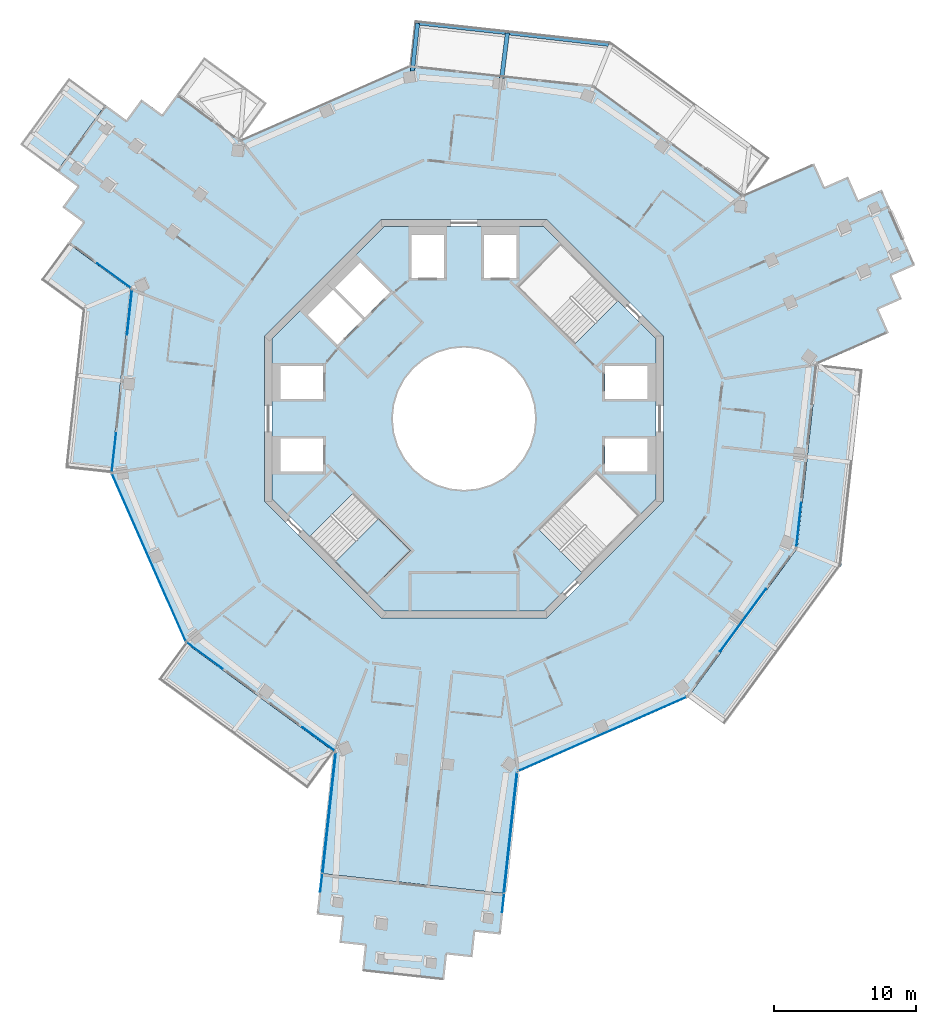
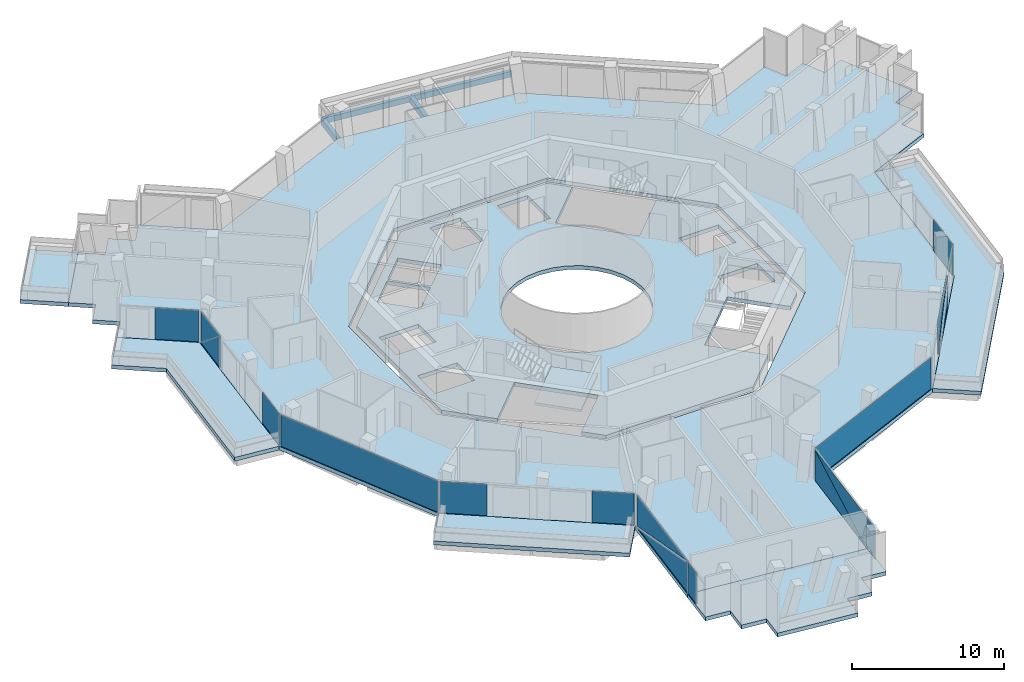
# One storey, part 11 of 22: 17 plates, 8 slabs, 4 beams, 10 elements without a shape of their own.
"""IFC4 building model written with IfcOpenShell, lengths in metres."""

import ifcopenshell
import ifcopenshell.guid

model = None  # the IFC model being written
_history = None  # IfcOwnerHistory: only IFC2X3 demands one
_inside = {}  # id of a spatial element -> (the spatial element, [elements in it])
_under = {}  # id of a project, library or spatial element -> (it, [spatial elements below it])
_declared = {}  # id of a project -> (the project, [libraries it declares])
_typed = {}  # id of a type object -> (the type object, [elements of that type])
_made_of = {}  # id of a material, layer set ... -> (it, [elements and type objects made of it])


def new_model(schema):
    """Start an empty IFC model of exactly this schema.

    Asked for "IFC4X3", IfcOpenShell would pick the latest addendum, in which some entities
    have other attributes; the version numbers below select the first issue.
    IFC2X3 requires an IfcOwnerHistory on every rooted entity: one is made here for all.
    """
    global model, _history
    if schema == "IFC4X3":
        model = ifcopenshell.file(schema_version=(4, 3, 0, 0))
    else:
        model = ifcopenshell.file(schema=schema)
    _inside.clear()
    _under.clear()
    _declared.clear()
    _typed.clear()
    _made_of.clear()
    _history = None
    if model.schema == "IFC2X3":
        org = make("IfcOrganization", Name="unknown")
        user = make(
            "IfcPersonAndOrganization",
            ThePerson=make("IfcPerson", FamilyName="unknown"),
            TheOrganization=org,
        )
        app = make(
            "IfcApplication",
            ApplicationDeveloper=org,
            Version="unknown",
            ApplicationFullName="unknown",
            ApplicationIdentifier="unknown",
        )
        _history = make(
            "IfcOwnerHistory",
            OwningUser=user,
            OwningApplication=app,
            ChangeAction="ADDED",
            CreationDate=0,
        )
    return model


def make(cls, **values):
    """One entity of the class cls with the attributes given. An attribute that is None is left unset."""
    return model.create_entity(
        cls, **{name: value for name, value in values.items() if value is not None}
    )


def rooted(cls, **values):
    """An entity with a GlobalId (a new one), such as an element, a storey or a relation."""
    return make(cls, GlobalId=ifcopenshell.guid.new(), OwnerHistory=_history, **values)


def si_unit(unit_type, name, prefix=None):
    """IfcSIUnit, for example si_unit("LENGTHUNIT", "METRE", prefix="MILLI")."""
    return make("IfcSIUnit", UnitType=unit_type, Prefix=prefix, Name=name)


def assignment(units):
    """IfcUnitAssignment: the units of a project."""
    return None if units is None else make("IfcUnitAssignment", Units=units)


def point(xyz):
    """IfcCartesianPoint."""
    return None if xyz is None else make("IfcCartesianPoint", Coordinates=xyz)


def direction(xyz):
    """IfcDirection."""
    return None if xyz is None else make("IfcDirection", DirectionRatios=xyz)


def frame(location, z_axis=None, x_axis=None):
    """IfcAxis2Placement3D, a coordinate frame: its origin and axes. An axis left out is left unset."""
    return make(
        "IfcAxis2Placement3D",
        Location=point(location),
        Axis=direction(z_axis),
        RefDirection=direction(x_axis),
    )


def frame_2d(location, x_axis=None):
    """IfcAxis2Placement2D, a coordinate frame in the plane: its origin and x axis."""
    return make(
        "IfcAxis2Placement2D", Location=point(location), RefDirection=direction(x_axis)
    )


def origin():
    """The frame at (0, 0, 0) with its axes left unset."""
    return frame((0.0, 0.0, 0.0))


def origin_2d():
    """The frame at (0, 0) in the plane with its x axis left unset."""
    return frame_2d((0.0, 0.0))


def place(relative_to, where):
    """IfcLocalPlacement: puts the frame where relative to a parent placement (None: the world)."""
    return make(
        "IfcLocalPlacement", PlacementRelTo=relative_to, RelativePlacement=where
    )


def context(
    kind, dimensions, precision=None, world=None, true_north=None, identifier=None
):
    """IfcGeometricRepresentationContext, for example the 3D "Model" context."""
    return make(
        "IfcGeometricRepresentationContext",
        ContextIdentifier=identifier,
        ContextType=kind,
        CoordinateSpaceDimension=dimensions,
        Precision=precision,
        WorldCoordinateSystem=world,
        TrueNorth=true_north,
    )


def subcontext(parent, identifier, kind, view, scale=None):
    """IfcGeometricRepresentationSubContext, for example "Body" below "Model"."""
    return make(
        "IfcGeometricRepresentationSubContext",
        ContextIdentifier=identifier,
        ContextType=kind,
        ParentContext=parent,
        TargetScale=scale,
        TargetView=view,
    )


def project(units=None, contexts=None):
    """IfcProject with its units and contexts."""
    return rooted(
        "IfcProject",
        Name="project",
        RepresentationContexts=contexts,
        UnitsInContext=assignment(units),
    )


def spatial(cls, under=None, at=None, **own):
    """A site, building, storey or space (cls), placed at a placement, below another one or the project."""
    s = rooted(cls, ObjectPlacement=at, **own)
    if under is not None:
        _under.setdefault(under.id(), (under, []))[1].append(s)
    return s


def polyline(points):
    """IfcPolyline through the points."""
    return make("IfcPolyline", Points=[point(p) for p in points])


def profile(cls, at=None, kind="AREA", **sizes):
    """A parametric profile (cls). Its sizes go by their IFC names, for example OverallWidth=200.0."""
    return make(cls, ProfileType=kind, Position=at, **sizes)


def rectangle(**sizes):
    """IfcRectangleProfileDef."""
    return profile("IfcRectangleProfileDef", **sizes)


def outline(outer, holes=None, kind="AREA"):
    """IfcArbitraryClosedProfileDef: a profile drawn as a closed curve; with holes, ...WithVoids."""
    if holes is None:
        return make("IfcArbitraryClosedProfileDef", ProfileType=kind, OuterCurve=outer)
    return make(
        "IfcArbitraryProfileDefWithVoids",
        ProfileType=kind,
        OuterCurve=outer,
        InnerCurves=holes,
    )


def extrude(swept, where, along, depth):
    """IfcExtrudedAreaSolid: the profile swept, set in the frame where, extruded along a direction by depth."""
    return make(
        "IfcExtrudedAreaSolid",
        SweptArea=swept,
        Position=where,
        ExtrudedDirection=direction(along),
        Depth=depth,
    )


def shape(context_of_items, identifier, shape_type, items):
    """IfcShapeRepresentation: the items that make up one representation, for example the "Body"."""
    return make(
        "IfcShapeRepresentation",
        ContextOfItems=context_of_items,
        RepresentationIdentifier=identifier,
        RepresentationType=shape_type,
        Items=items,
    )


def material(Name=None, Category=None):
    """IfcMaterial."""
    return make("IfcMaterial", Name=Name, Category=Category)


def layer(
    of_material, thickness, ventilated=None, Name=None, Category=None, Priority=None
):
    """IfcMaterialLayer: one layer of a wall or slab, of a material (None: an air gap)."""
    return make(
        "IfcMaterialLayer",
        Material=of_material,
        LayerThickness=thickness,
        IsVentilated=ventilated,
        Name=Name,
        Category=Category,
        Priority=Priority,
    )


def layer_set(layers, Name=None):
    """IfcMaterialLayerSet."""
    return make("IfcMaterialLayerSet", MaterialLayers=layers, LayerSetName=Name)


def material_profile(
    of_material, cross_section, Name=None, Category=None, Priority=None
):
    """IfcMaterialProfile: a cross section and its material."""
    return make(
        "IfcMaterialProfile",
        Name=Name,
        Material=of_material,
        Profile=cross_section,
        Priority=Priority,
        Category=Category,
    )


def profile_set(profiles, Name=None, composite=None):
    """IfcMaterialProfileSet."""
    return make(
        "IfcMaterialProfileSet",
        Name=Name,
        MaterialProfiles=profiles,
        CompositeProfile=composite,
    )


def made_of(thing, what):
    """Note that an element or type object is made of a material, layer set ...; save() writes the relation."""
    if what is not None:
        _made_of.setdefault(what.id(), (what, []))[1].append(thing)
    return thing


def type_object(cls, material=None, **own):
    """A type object (cls), such as IfcWallType, which elements share."""
    return made_of(rooted(cls, **own), material)


def element(
    cls,
    number,
    at=None,
    inside=None,
    cuts=None,
    type_object=None,
    material=None,
    context=None,
    identifier="Body",
    shape_type=None,
    held_by="IfcProductDefinitionShape",
    body=None,
    shapes=None,
    **own,
):
    """One element of the class cls, such as IfcWall. Its Tag is "e" and its number.

    at: its placement. inside: the storey or other place that contains it. cuts: it is an
    opening in that element (IfcRelVoidsElement). A single representation is given by context,
    identifier, shape_type and body (its items); several are given by shapes. held_by: the class
    of the entity that holds the representations. save() writes the other relations.
    """
    e = rooted(cls, Tag="e%d" % number, ObjectPlacement=at, **own)
    if body is not None:
        shapes = [shape(context, identifier, shape_type, body)]
    if shapes is not None:
        e.Representation = make(held_by, Representations=shapes)
    if inside is not None:
        _inside.setdefault(inside.id(), (inside, []))[1].append(e)
    if cuts is not None:
        rooted(
            "IfcRelVoidsElement", RelatingBuildingElement=cuts, RelatedOpeningElement=e
        )
    if type_object is not None:
        _typed.setdefault(type_object.id(), (type_object, []))[1].append(e)
    return made_of(e, material)


def aggregate(whole, parts):
    """IfcRelAggregates: a whole, such as a stair, and the parts it consists of."""
    return rooted("IfcRelAggregates", RelatingObject=whole, RelatedObjects=parts)


def save(model, path):
    """Write the relations noted so far, then the file.

    IfcRelAggregates (storeys below a building ...), IfcRelContainedInSpatialStructure (elements
    in a storey), IfcRelDefinesByType, IfcRelAssociatesMaterial and IfcRelDeclares: one each for
    every whole, place, type object, material and project.
    """
    for whole, parts in _under.values():
        aggregate(whole, parts)
    for where, things in _inside.values():
        rooted(
            "IfcRelContainedInSpatialStructure",
            RelatedElements=things,
            RelatingStructure=where,
        )
    for kind, things in _typed.values():
        rooted("IfcRelDefinesByType", RelatedObjects=things, RelatingType=kind)
    for what, things in _made_of.values():
        rooted("IfcRelAssociatesMaterial", RelatedObjects=things, RelatingMaterial=what)
    for by, libraries in _declared.values():
        rooted("IfcRelDeclares", RelatingContext=by, RelatedDefinitions=libraries)
    model.write(path)


model = new_model("IFC4")

# Units and contexts
model_context = context("Model", 3, precision=1e-05, world=origin(), true_north=direction((0.0, 1.0)))
body_context = subcontext(model_context, "Body", "Model", "MODEL_VIEW")
ifc_project = project(units=[si_unit("LENGTHUNIT", "METRE"), si_unit("AREAUNIT", "SQUARE_METRE"), si_unit("VOLUMEUNIT", "CUBIC_METRE"), si_unit("PLANEANGLEUNIT", "RADIAN"), si_unit("MASSUNIT", "GRAM", prefix="KILO")], contexts=[model_context])

# Site, building, storey
site_placement = place(None, origin())
site = spatial("IfcSite", under=ifc_project, at=site_placement, CompositionType="ELEMENT")
building_placement = place(site_placement, origin())
building = spatial("IfcBuilding", under=site, at=building_placement, Name="Verdalira Terraces Hotel", CompositionType="ELEMENT")
storey_placement = place(building_placement, frame((0.0, 0.0, 252.5)))
storey = spatial("IfcBuildingStorey", under=building, at=storey_placement, Name="L62", CompositionType="ELEMENT", Elevation=252.5)

# Beams
ifc_material_1 = material(Name="Concrete C40", Category="concrete")
ifc_material_profile_1 = material_profile(ifc_material_1, rectangle(XDim=0.300049, YDim=0.5, at=origin_2d()), Name="RC 300X500")
ifc_profile_set_1 = profile_set([ifc_material_profile_1], Name="Concrete C40")
beam_type_1 = type_object("IfcBeamType", Name="Balcony cantilever beam RC 300X500 C40", PredefinedType="BEAM", material=ifc_profile_set_1)
beam_1_placement = place(storey_placement, frame((2.648682, 23.911865, -0.560059), z_axis=(0.125320754, 0.992116278, 0.0), x_axis=(-0.992116278, 0.125320754, 0.0)))
element("IfcBeam", 1, at=beam_1_placement, inside=storey, type_object=beam_type_1, Name="Balcony cantilever beam R39-4", PredefinedType="BEAM", context=body_context, shape_type="SweptSolid", body=[
    extrude(rectangle(XDim=0.300049, YDim=0.5, at=origin_2d()), origin(), (0.0, 0.0, 1.0), 3.200684),
])
beam_2_placement = place(storey_placement, frame((-3.626221, 24.416504, -0.560059), z_axis=(0.108758928, 0.994068154, 0.0), x_axis=(-0.994068154, 0.108758928, 0.0)))
element("IfcBeam", 2, at=beam_2_placement, inside=storey, type_object=beam_type_1, Name="Balcony cantilever beam R39-5", PredefinedType="BEAM", context=body_context, shape_type="SweptSolid", body=[
    extrude(rectangle(XDim=0.300049, YDim=0.5, at=origin_2d()), origin(), (0.0, 0.0, 1.0), 3.380615),
])
ifc_material_2 = material(Name="Concrete C40", Category="concrete")
ifc_material_profile_2 = material_profile(ifc_material_2, rectangle(XDim=0.25, YDim=0.449951, at=origin_2d()), Name="RC 250X450")
ifc_profile_set_2 = profile_set([ifc_material_profile_2], Name="Concrete C40")
beam_type_2 = type_object("IfcBeamType", Name="Balcony edge beam RC 250X450 C40", PredefinedType="BEAM", material=ifc_profile_set_2)
beam_3_placement = place(storey_placement, frame((10.14917, 26.269287, -0.534912), z_axis=(-0.993425533, 0.114480173, 0.0), x_axis=(-0.114480173, -0.993425533, 0.0)))
element("IfcBeam", 3, at=beam_3_placement, inside=storey, type_object=beam_type_2, Name="Balcony edge beam R39-3", PredefinedType="BEAM", context=body_context, shape_type="SweptSolid", body=[
    extrude(rectangle(XDim=0.25, YDim=0.449951, at=origin_2d()), origin(), (0.0, 0.0, 1.0), 7.14624),
])
beam_4_placement = place(storey_placement, frame((2.900879, 27.103516, -0.534912), z_axis=(-0.994073488, 0.108710165, 0.0), x_axis=(-0.108710165, -0.994073488, 0.0)))
element("IfcBeam", 4, at=beam_4_placement, inside=storey, type_object=beam_type_2, Name="Balcony edge beam R39-4", PredefinedType="BEAM", context=body_context, shape_type="SweptSolid", body=[
    extrude(rectangle(XDim=0.25, YDim=0.449951, at=origin_2d()), origin(), (0.0, 0.0, 1.0), 6.196045),
])

# Slabs
ifc_material_3 = material(Name="Precast concrete C40/50", Category="concrete")
ifc_layer_1 = layer(ifc_material_3, 0.31005859375)
ifc_layer_set_1 = layer_set([ifc_layer_1], Name="Balcony deck 310")
slab_type_1 = type_object("IfcSlabType", Name="Balcony deck 310", PredefinedType="FLOOR", material=ifc_layer_set_1)
slab_1_placement = place(storey_placement, frame((0.0, 0.0, -0.310059)))
element("IfcSlab", 5, at=slab_1_placement, inside=storey, type_object=slab_type_1, Name="Balcony deck", PredefinedType="FLOOR", context=body_context, shape_type="SweptSolid", body=[
    extrude(outline(polyline([(-31.181641, 19.259521), (-28.60083, 17.367676), (-25.171875, 22.045654), (-27.75293, 23.9375), (-31.181641, 19.259521)])), origin(), (0.0, 0.0, 1.0), 0.310059),
])
slab_2_placement = place(storey_placement, frame((0.0, 0.0, -0.310059)))
element("IfcSlab", 6, at=slab_2_placement, inside=storey, type_object=slab_type_1, Name="Balcony deck", PredefinedType="FLOOR", context=body_context, shape_type="SweptSolid", body=[
    extrude(outline(polyline([(-26.790039, 7.609375), (-28.002197, -3.477051), (-24.821045, -3.824707), (-23.408203, 9.098145), (-27.825439, 12.335938), (-29.717041, 9.754883), (-26.790039, 7.609375)])), origin(), (0.0, 0.0, 1.0), 0.310059),
])
slab_3_placement = place(storey_placement, frame((0.0, 0.0, -0.310059)))
element("IfcSlab", 7, at=slab_3_placement, inside=storey, type_object=slab_type_1, Name="Balcony deck", PredefinedType="FLOOR", context=body_context, shape_type="SweptSolid", body=[
    extrude(outline(polyline([(-10.98999, -25.989014), (-9.098145, -23.408203), (-19.583252, -15.7229), (-21.475098, -18.303955), (-10.98999, -25.989014)])), origin(), (0.0, 0.0, 1.0), 0.310059),
])
slab_4_placement = place(storey_placement, frame((0.0, 0.0, -0.310059)))
element("IfcSlab", 8, at=slab_4_placement, inside=storey, type_object=slab_type_1, Name="Balcony deck", PredefinedType="FLOOR", context=body_context, shape_type="SweptSolid", body=[
    extrude(outline(polyline([(28.002197, 3.477051), (24.821045, 3.824707), (23.408203, -9.098145), (15.7229, -19.583252), (18.303955, -21.475098), (26.49585, -10.29834), (28.002197, 3.477051)])), origin(), (0.0, 0.0, 1.0), 0.310059),
])

# Curtain wall, plates
ifc_material_4 = material(Name="Clear glass", Category="glass")
ifc_layer_2 = layer(ifc_material_4, 0.14990234375)
ifc_layer_set_2 = layer_set([ifc_layer_2], Name="CW1 curtain wall")
curtain_wall_type_1 = type_object("IfcCurtainWallType", Name="CW1 curtain wall", PredefinedType="NOTDEFINED", material=ifc_layer_set_2)
curtain_wall_1_placement = place(storey_placement, origin())
curtain_wall_1 = element("IfcCurtainWall", 9, at=curtain_wall_1_placement, inside=storey, type_object=curtain_wall_type_1, Name="CW1 curtain wall L62 edge 11", PredefinedType="NOTDEFINED")
ifc_material_5 = material(Name="Clear glass", Category="glass")
ifc_layer_3 = layer(ifc_material_5, 0.028076171875)
ifc_layer_set_3 = layer_set([ifc_layer_3], Name="CW1 glass unit 28")
plate_type_1 = type_object("IfcPlateType", Name="CW1 glass unit 28", PredefinedType="CURTAIN_PANEL", material=ifc_layer_set_3)
plate_1_placement = place(storey_placement, frame((-23.496826, 7.468262, 1.262451), z_axis=(-0.994075324, 0.108693378, 0.0), x_axis=(-0.108693378, -0.994075324, 0.0)))
plate_1 = element("IfcPlate", 10, at=plate_1_placement, type_object=plate_type_1, Name="CW1 glass unit", PredefinedType="CURTAIN_PANEL", context=body_context, shape_type="SweptSolid", body=[
    extrude(outline(polyline([(-1.569824, -1.262451), (1.569824, -1.262451), (1.569824, 1.262451), (-1.569824, -1.262451)])), origin(), (0.0, 0.0, 1.0), 0.028076),
])
plate_2_placement = place(storey_placement, frame((-23.468018, 7.465088, 1.262451), z_axis=(-0.994075324, 0.108693378, 0.0), x_axis=(-0.108693378, -0.994075324, 0.0)))
plate_2 = element("IfcPlate", 11, at=plate_2_placement, type_object=plate_type_1, Name="CW1 glass unit", PredefinedType="CURTAIN_PANEL", context=body_context, shape_type="SweptSolid", body=[
    extrude(outline(polyline([(-1.569824, -1.262451), (1.569824, 1.262451), (-1.569824, 1.262451), (-1.569824, -1.262451)])), origin(), (0.0, 0.0, 1.0), 0.028076),
])
plate_3_placement = place(storey_placement, frame((-24.586914, -2.37207, 0.0), z_axis=(0.0, 0.0, 1.0), x_axis=(-0.108693378, -0.994075324, 0.0)))
plate_3 = element("IfcPlate", 12, at=plate_3_placement, type_object=plate_type_1, Name="CW1 glass unit", PredefinedType="CURTAIN_PANEL", context=body_context, shape_type="SweptSolid", body=[
    extrude(rectangle(XDim=2.738525, YDim=0.028076, at=origin_2d()), origin(), (0.0, 0.0, 1.0), 2.524902),
])
aggregate(curtain_wall_1, [plate_1, plate_2, plate_3])

# Curtain wall, plate
curtain_wall_2_placement = place(storey_placement, origin())
curtain_wall_2 = element("IfcCurtainWall", 13, at=curtain_wall_2_placement, inside=storey, type_object=curtain_wall_type_1, Name="CW1 curtain wall L62 edge 12", PredefinedType="NOTDEFINED")
plate_4_placement = place(storey_placement, frame((-22.133545, -9.743652, 0.0), z_axis=(0.0, 0.0, 1.0), x_axis=(0.402906436, -0.915241173, 0.0)))
plate_4 = element("IfcPlate", 14, at=plate_4_placement, type_object=plate_type_1, Name="CW1 glass unit", PredefinedType="CURTAIN_PANEL", context=body_context, shape_type="SweptSolid", body=[
    extrude(rectangle(XDim=12.799561, YDim=0.028076, at=origin_2d()), origin(), (0.0, 0.0, 1.0), 2.524902),
])
aggregate(curtain_wall_2, [plate_4])

# Curtain wall, plates
curtain_wall_3_placement = place(storey_placement, origin())
curtain_wall_3 = element("IfcCurtainWall", 15, at=curtain_wall_3_placement, inside=storey, type_object=curtain_wall_type_1, Name="CW1 curtain wall L62 edge 13", PredefinedType="NOTDEFINED")
plate_5_placement = place(storey_placement, frame((-18.208008, -16.637939, 0.0), z_axis=(0.0, 0.0, 1.0), x_axis=(0.806547795, -0.591168888, 0.0)))
plate_5 = element("IfcPlate", 16, at=plate_5_placement, type_object=plate_type_1, Name="CW1 glass unit", PredefinedType="CURTAIN_PANEL", context=body_context, shape_type="SweptSolid", body=[
    extrude(rectangle(XDim=3.099854, YDim=0.028076, at=origin_2d()), origin(), (0.0, 0.0, 1.0), 2.524902),
])
plate_6_placement = place(storey_placement, frame((-10.2229, -22.490723, 0.0), z_axis=(0.0, 0.0, 1.0), x_axis=(0.806547795, -0.591168888, 0.0)))
plate_6 = element("IfcPlate", 17, at=plate_6_placement, type_object=plate_type_1, Name="CW1 glass unit", PredefinedType="CURTAIN_PANEL", context=body_context, shape_type="SweptSolid", body=[
    extrude(rectangle(XDim=2.778809, YDim=0.028076, at=origin_2d()), origin(), (0.0, 0.0, 1.0), 2.524902),
])
aggregate(curtain_wall_3, [plate_5, plate_6])

# Curtain wall, plate
curtain_wall_4_placement = place(storey_placement, origin())
curtain_wall_4 = element("IfcCurtainWall", 18, at=curtain_wall_4_placement, inside=storey, type_object=curtain_wall_type_1, Name="CW1 curtain wall L62 edge 25", PredefinedType="NOTDEFINED")
plate_7_placement = place(storey_placement, frame((9.725342, -22.141602, 0.0), z_axis=(0.0, 0.0, 1.0), x_axis=(0.915241173, 0.402906436, 0.0)))
plate_7 = element("IfcPlate", 19, at=plate_7_placement, type_object=plate_type_1, Name="CW1 glass unit", PredefinedType="CURTAIN_PANEL", context=body_context, shape_type="SweptSolid", body=[
    extrude(rectangle(XDim=12.839844, YDim=0.028076, at=origin_2d()), origin(), (0.0, 0.0, 1.0), 2.524902),
])
aggregate(curtain_wall_4, [plate_7])

# Curtain wall, plates
curtain_wall_5_placement = place(storey_placement, origin())
curtain_wall_5 = element("IfcCurtainWall", 20, at=curtain_wall_5_placement, inside=storey, type_object=curtain_wall_type_1, Name="CW1 curtain wall L62 edge 26", PredefinedType="NOTDEFINED")
plate_8_placement = place(storey_placement, frame((19.599854, -14.143311, 1.262451), z_axis=(0.806547795, -0.591168888, 0.0), x_axis=(0.591168888, 0.806547795, 0.0)))
plate_8 = element("IfcPlate", 21, at=plate_8_placement, type_object=plate_type_1, Name="CW1 glass unit", PredefinedType="CURTAIN_PANEL", context=body_context, shape_type="SweptSolid", body=[
    extrude(outline(polyline([(-2.716309, -1.262451), (2.716309, -1.262451), (2.716309, 1.262451), (-2.716309, -1.262451)])), origin(), (0.0, 0.0, 1.0), 0.028076),
])
plate_9_placement = place(storey_placement, frame((19.576416, -14.126221, 1.262451), z_axis=(0.806547795, -0.591168888, 0.0), x_axis=(0.591168888, 0.806547795, 0.0)))
plate_9 = element("IfcPlate", 22, at=plate_9_placement, type_object=plate_type_1, Name="CW1 glass unit", PredefinedType="CURTAIN_PANEL", context=body_context, shape_type="SweptSolid", body=[
    extrude(outline(polyline([(-2.716309, -1.262451), (2.716309, 1.262451), (-2.716309, 1.262451), (-2.716309, -1.262451)])), origin(), (0.0, 0.0, 1.0), 0.028076),
])
aggregate(curtain_wall_5, [plate_8, plate_9])

# Curtain wall, plate
curtain_wall_6_placement = place(storey_placement, origin())
curtain_wall_6 = element("IfcCurtainWall", 23, at=curtain_wall_6_placement, inside=storey, type_object=curtain_wall_type_1, Name="CW1 curtain wall L62 edge 27", PredefinedType="NOTDEFINED")
plate_10_placement = place(storey_placement, frame((23.512939, -7.449707, 0.0), z_axis=(0.0, 0.0, 1.0), x_axis=(0.108693378, 0.994075324, 0.0)))
plate_10 = element("IfcPlate", 24, at=plate_10_placement, type_object=plate_type_1, Name="CW1 glass unit", PredefinedType="CURTAIN_PANEL", context=body_context, shape_type="SweptSolid", body=[
    extrude(rectangle(XDim=3.099854, YDim=0.028076, at=origin_2d()), origin(), (0.0, 0.0, 1.0), 2.524902),
])
aggregate(curtain_wall_6, [plate_10])

ifc_material_6 = material(Name="Clear glass", Category="glass")
ifc_layer_4 = layer(ifc_material_6, 0.14990234375)
ifc_layer_set_4 = layer_set([ifc_layer_4], Name="CW2 curtain wall")
curtain_wall_type_2 = type_object("IfcCurtainWallType", Name="CW2 curtain wall", PredefinedType="NOTDEFINED", material=ifc_layer_set_4)
curtain_wall_7_placement = place(storey_placement, origin())
curtain_wall_7 = element("IfcCurtainWall", 25, at=curtain_wall_7_placement, inside=storey, type_object=curtain_wall_type_2, Name="CW2 curtain wall L62 edge 10", PredefinedType="NOTDEFINED")
ifc_material_7 = material(Name="Clear glass", Category="glass")
ifc_layer_5 = layer(ifc_material_7, 0.031982421875)
ifc_layer_set_5 = layer_set([ifc_layer_5], Name="CW2 glass unit 32")
plate_type_2 = type_object("IfcPlateType", Name="CW2 glass unit 32", PredefinedType="CURTAIN_PANEL", material=ifc_layer_set_5)
plate_11_placement = place(storey_placement, frame((-24.584473, 10.053467, 0.0), z_axis=(0.0, 0.0, 1.0), x_axis=(0.806547795, -0.591168888, 0.0)))
plate_11 = element("IfcPlate", 26, at=plate_11_placement, type_object=plate_type_2, Name="CW2 glass unit", PredefinedType="CURTAIN_PANEL", context=body_context, shape_type="SweptSolid", body=[
    extrude(rectangle(XDim=2.886719, YDim=0.031982, at=origin_2d()), origin(), (0.0, 0.0, 1.0), 2.524902),
])
aggregate(curtain_wall_7, [plate_11])

# Curtain wall, plates
curtain_wall_8_placement = place(storey_placement, origin())
curtain_wall_8 = element("IfcCurtainWall", 27, at=curtain_wall_8_placement, inside=storey, type_object=curtain_wall_type_2, Name="CW2 curtain wall L62 edge 14", PredefinedType="NOTDEFINED")
plate_12_placement = place(storey_placement, frame((-9.474609, -27.688477, 1.262451), z_axis=(-0.994075324, 0.108693378, 0.0), x_axis=(-0.108693378, -0.994075324, 0.0)))
plate_12 = element("IfcPlate", 28, at=plate_12_placement, type_object=plate_type_2, Name="CW2 glass unit", PredefinedType="CURTAIN_PANEL", context=body_context, shape_type="SweptSolid", body=[
    extrude(outline(polyline([(-4.226074, -1.262451), (4.226074, -1.262451), (4.226074, 1.262451), (-4.226074, -1.262451)])), origin(), (0.0, 0.0, 1.0), 0.031982),
])
plate_13_placement = place(storey_placement, frame((-9.441895, -27.692139, 1.262451), z_axis=(-0.994075324, 0.108693378, 0.0), x_axis=(-0.108693378, -0.994075324, 0.0)))
plate_13 = element("IfcPlate", 29, at=plate_13_placement, type_object=plate_type_2, Name="CW2 glass unit", PredefinedType="CURTAIN_PANEL", context=body_context, shape_type="SweptSolid", body=[
    extrude(outline(polyline([(-4.226074, -1.262451), (4.226074, 1.262451), (-4.226074, 1.262451), (-4.226074, -1.262451)])), origin(), (0.0, 0.0, 1.0), 0.031982),
])
plate_14_placement = place(storey_placement, frame((-10.027344, -32.595947, 0.0), z_axis=(0.0, 0.0, 1.0), x_axis=(-0.108693378, -0.994075324, 0.0)))
plate_14 = element("IfcPlate", 30, at=plate_14_placement, type_object=plate_type_2, Name="CW2 glass unit", PredefinedType="CURTAIN_PANEL", context=body_context, shape_type="SweptSolid", body=[
    extrude(rectangle(XDim=1.284912, YDim=0.031982, at=origin_2d()), origin(), (0.0, 0.0, 1.0), 2.524902),
])
aggregate(curtain_wall_8, [plate_12, plate_13, plate_14])

curtain_wall_9_placement = place(storey_placement, origin())
curtain_wall_9 = element("IfcCurtainWall", 31, at=curtain_wall_9_placement, inside=storey, type_object=curtain_wall_type_2, Name="CW2 curtain wall L62 edge 24", PredefinedType="NOTDEFINED")
plate_15_placement = place(storey_placement, frame((2.745361, -34.002441, 0.0), z_axis=(0.0, 0.0, 1.0), x_axis=(0.108693378, 0.994075324, 0.0)))
plate_15 = element("IfcPlate", 32, at=plate_15_placement, type_object=plate_type_2, Name="CW2 glass unit", PredefinedType="CURTAIN_PANEL", context=body_context, shape_type="SweptSolid", body=[
    extrude(rectangle(XDim=1.304932, YDim=0.031982, at=origin_2d()), origin(), (0.0, 0.0, 1.0), 2.524902),
])
plate_16_placement = place(storey_placement, frame((3.267334, -29.081787, 1.262451), z_axis=(0.994075324, -0.108693378, 0.0), x_axis=(0.108693378, 0.994075324, 0.0)))
plate_16 = element("IfcPlate", 33, at=plate_16_placement, type_object=plate_type_2, Name="CW2 glass unit", PredefinedType="CURTAIN_PANEL", context=body_context, shape_type="SweptSolid", body=[
    extrude(outline(polyline([(-4.226074, -1.262451), (4.226074, -1.262451), (4.226074, 1.262451), (-4.226074, -1.262451)])), origin(), (0.0, 0.0, 1.0), 0.031982),
])
plate_17_placement = place(storey_placement, frame((3.234619, -29.078125, 1.262451), z_axis=(0.994075324, -0.108693378, 0.0), x_axis=(0.108693378, 0.994075324, 0.0)))
plate_17 = element("IfcPlate", 34, at=plate_17_placement, type_object=plate_type_2, Name="CW2 glass unit", PredefinedType="CURTAIN_PANEL", context=body_context, shape_type="SweptSolid", body=[
    extrude(outline(polyline([(-4.226074, -1.262451), (4.226074, 1.262451), (-4.226074, 1.262451), (-4.226074, -1.262451)])), origin(), (0.0, 0.0, 1.0), 0.031982),
])
aggregate(curtain_wall_9, [plate_15, plate_16, plate_17])

# Slab
ifc_material_8 = material(Name="Concrete C40", Category="concrete")
ifc_layer_6 = layer(ifc_material_8, 0.31005859375)
ifc_layer_set_6 = layer_set([ifc_layer_6], Name="Core floor slab 310 mm")
slab_type_2 = type_object("IfcSlabType", Name="Core floor slab 310 mm", PredefinedType="FLOOR", material=ifc_layer_set_6)
slab_5_placement = place(storey_placement, frame((0.0, 0.0, -0.310059)))
element("IfcSlab", 35, at=slab_5_placement, inside=storey, type_object=slab_type_2, Name="L62 core floor", PredefinedType="FLOOR", context=body_context, shape_type="SweptSolid", body=[
    extrude(outline(polyline([(-6.77417, -12.317871), (-3.719482, -9.263184), (-7.763672, -5.21875), (-10.818359, -8.273438), (-13.5, -5.591797), (-13.5, 5.591797), (-5.591797, 13.5), (5.591797, 13.5), (6.77417, 12.317871), (3.719482, 9.263184), (7.763672, 5.21875), (10.818359, 8.273438), (13.5, 5.591797), (13.5, -5.591797), (12.317871, -6.77417), (9.263184, -3.719482), (5.21875, -7.763672), (8.273438, -10.818359), (5.591797, -13.5), (-5.591797, -13.5), (-6.77417, -12.317871)]), holes=[polyline([(9.899902, -1.399902), (9.899902, -3.699951), (12.899902, -3.699951), (12.899902, -1.399902), (9.899902, -1.399902)]), polyline([(9.899902, 3.699951), (9.899902, 1.399902), (12.899902, 1.399902), (12.899902, 3.699951), (9.899902, 3.699951)]), polyline([(3.699951, 12.899902), (1.399902, 12.899902), (1.399902, 9.899902), (3.699951, 9.899902), (3.699951, 12.899902)]), polyline([(-1.399902, 12.899902), (-3.699951, 12.899902), (-3.699951, 9.899902), (-1.399902, 9.899902), (-1.399902, 12.899902)]), polyline([(-9.899902, 1.399902), (-9.899902, 3.699951), (-12.899902, 3.699951), (-12.899902, 1.399902), (-9.899902, 1.399902)]), polyline([(-9.899902, -3.699951), (-9.899902, -1.399902), (-12.899902, -1.399902), (-12.899902, -3.699951), (-9.899902, -3.699951)]), polyline([(-9.051025, 9.192383), (-6.965088, 7.106445), (-5.197266, 8.874268), (-7.283203, 10.960205), (-9.051025, 9.192383)]), polyline([(-9.192383, 9.051025), (-10.960205, 7.283203), (-8.874268, 5.197266), (-7.106445, 6.965088), (-9.192383, 9.051025)]), polyline([(3.5354, 3.5354), (2.777832, 4.157227), (1.91333, 4.619385), (0.975586, 4.903809), (0.0, 5.0), (-0.975586, 4.903809), (-1.91333, 4.619385), (-2.777832, 4.157227), (-3.5354, 3.5354), (-4.157227, 2.777832), (-4.619385, 1.91333), (-4.903809, 0.975586), (-5.0, 0.0), (-4.903809, -0.975586), (-4.619385, -1.91333), (-4.157227, -2.777832), (-3.5354, -3.5354), (-2.777832, -4.157227), (-1.91333, -4.619385), (-0.975586, -4.903809), (0.0, -5.0), (0.975586, -4.903809), (1.91333, -4.619385), (2.777832, -4.157227), (3.5354, -3.5354), (4.157227, -2.777832), (4.619385, -1.91333), (4.903809, -0.975586), (5.0, 0.0), (4.903809, 0.975586), (4.619385, 1.91333), (4.157227, 2.777832), (3.5354, 3.5354)])]), origin(), (0.0, 0.0, 1.0), 0.310059),
])

# Stair, slab
ifc_material_9 = material(Name="Concrete C40", Category="concrete")
stair_type = type_object("IfcStairType", Name="Core stair 20 risers 2100 mm wide", PredefinedType="HALF_TURN_STAIR", material=ifc_material_9)
stair_placement = place(storey_placement, origin())
stair = element("IfcStair", 36, at=stair_placement, inside=storey, type_object=stair_type, Name="L62 Exit stair ST2", PredefinedType="HALF_TURN_STAIR")
ifc_material_10 = material(Name="Concrete C40", Category="concrete")
ifc_layer_7 = layer(ifc_material_10, 0.199951171875)
ifc_layer_set_7 = layer_set([ifc_layer_7], Name="Core stair landing 200 mm")
slab_type_3 = type_object("IfcSlabType", Name="Core stair landing 200 mm", PredefinedType="LANDING", material=ifc_layer_set_7)
slab_6_placement = place(storey_placement, frame((0.0, 0.0, 1.550049)))
slab_6 = element("IfcSlab", 37, at=slab_6_placement, type_object=slab_type_3, Name="ST2 landing 1", PredefinedType="LANDING", context=body_context, shape_type="SweptSolid", body=[
    extrude(outline(polyline([(-9.037109, -10.054688), (-6.78833, -12.303711), (-3.747559, -9.263184), (-5.996582, -7.01416), (-9.037109, -10.054688)])), origin(), (0.0, 0.0, 1.0), 0.199951),
])
aggregate(stair, [slab_6])

# Slabs
ifc_material_11 = material(Name="Concrete C40", Category="concrete")
ifc_layer_8 = layer(ifc_material_11, 0.31005859375)
ifc_layer_set_8 = layer_set([ifc_layer_8], Name="Floor slab 310 C40")
slab_type_4 = type_object("IfcSlabType", Name="Floor slab 310 C40", PredefinedType="FLOOR", material=ifc_layer_set_8)
slab_7_placement = place(storey_placement, frame((0.0, 0.0, -0.310059)))
element("IfcSlab", 38, at=slab_7_placement, inside=storey, type_object=slab_type_4, Name="Floor slab L62", PredefinedType="FLOOR", context=body_context, shape_type="SweptSolid", body=[
    extrude(outline(polyline([(-19.583252, -15.7229), (-9.098145, -23.408203), (-10.030518, -31.933594), (2.892578, -33.34668), (3.824707, -24.821045), (15.7229, -19.583252), (23.408203, -9.098145), (24.821045, 3.824707), (29.83374, 6.031494), (29.108398, 7.678711), (30.755859, 8.404053), (30.030762, 10.051514), (31.677979, 10.776611), (29.341309, 16.085205), (27.693848, 15.359863), (26.968506, 17.007324), (25.321289, 16.281982), (24.595947, 17.929443), (19.583252, 15.7229), (9.098145, 23.408203), (-3.824707, 24.821045), (-15.7229, 19.583252), (-20.140137, 22.821045), (-21.204346, 21.369385), (-22.656006, 22.43335), (-23.720215, 20.981689), (-25.172119, 22.045654), (-28.60083, 17.367676), (-27.148926, 16.303711), (-28.213135, 14.851807), (-26.76123, 13.787598), (-27.825439, 12.335938), (-23.408203, 9.098145), (-24.821045, -3.824707), (-19.583252, -15.7229)]), holes=[polyline([(5.799072, 14.0), (14.0, 5.799072), (14.0, -5.799072), (5.799072, -14.0), (-5.799072, -14.0), (-14.0, -5.799072), (-14.0, 5.799072), (-5.799072, 14.0), (5.799072, 14.0)])]), origin(), (0.0, 0.0, 1.0), 0.310059),
])
ifc_material_12 = material(Name="Concrete C40", Category="concrete")
ifc_layer_9 = layer(ifc_material_12, 0.31005859375)
ifc_layer_set_9 = layer_set([ifc_layer_9], Name="Loggia floor deck 310 C40")
slab_type_5 = type_object("IfcSlabType", Name="Loggia floor deck 310 C40", PredefinedType="FLOOR", material=ifc_layer_set_9)
slab_8_placement = place(storey_placement, frame((0.0, 0.0, -0.310059)))
element("IfcSlab", 39, at=slab_8_placement, inside=storey, type_object=slab_type_5, Name="Loggia deck L62", PredefinedType="FLOOR", context=body_context, shape_type="SweptSolid", body=[
    extrude(outline(polyline([(2.577393, -36.22998), (2.892578, -33.347168), (-10.030518, -31.934082), (-10.345703, -34.816895), (-8.556396, -35.012451), (-8.751953, -36.802002), (-6.962646, -36.997559), (-7.158203, -38.786865), (-1.392578, -39.417236), (-1.197021, -37.62793), (0.592285, -37.823486), (0.788086, -36.03418), (2.577393, -36.22998)])), origin(), (0.0, 0.0, 1.0), 0.310059),
])

save(model, "model.ifc")
